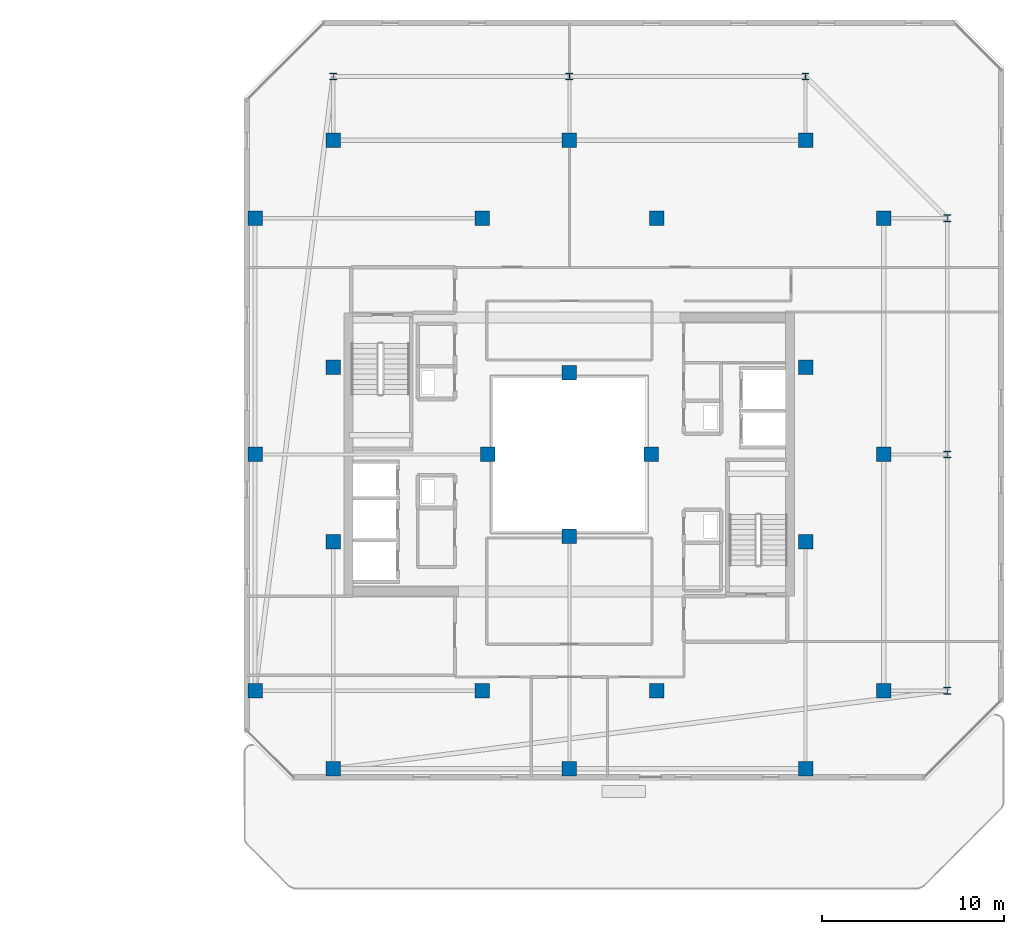
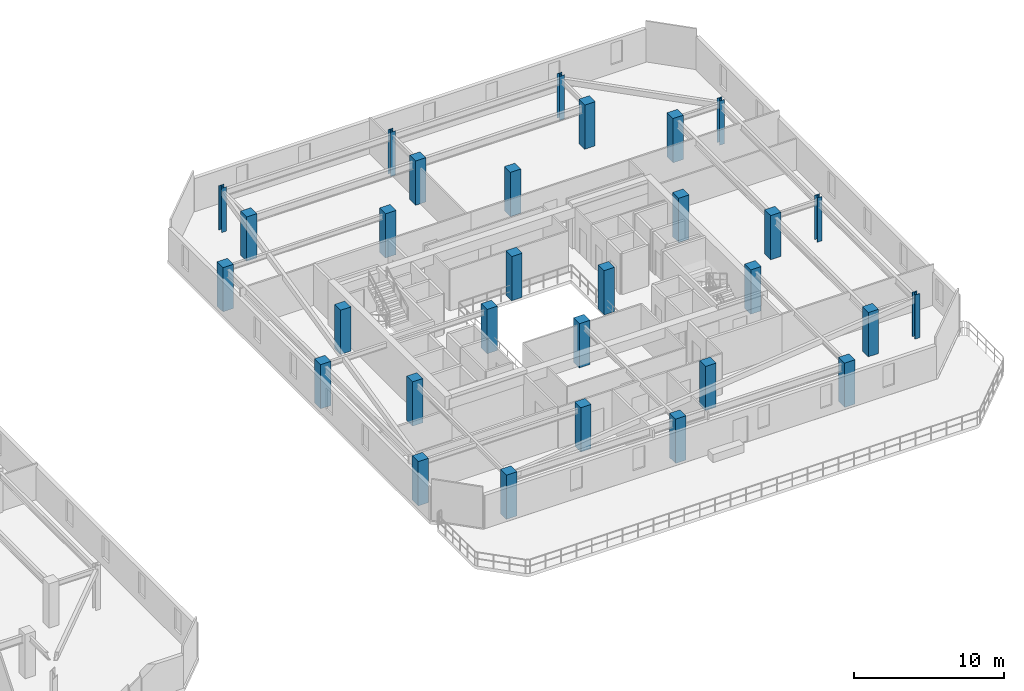
# One storey, part 2 of 31: 30 columns.
"""IFC4 building model written with IfcOpenShell, lengths in metres."""

from ifc_helpers import new_model, si_unit, direction, frame, origin, origin_2d, place, context, subcontext, project, spatial, rectangle, i_section, extrude, material, material_profile, profile_set, type_object, element, save


model = new_model("IFC4")

# Units and contexts
model_context = context("Model", 3, precision=1e-05, world=origin(), true_north=direction((0.0, 1.0)))
body_context = subcontext(model_context, "Body", "Model", "MODEL_VIEW")
ifc_project = project(units=[si_unit("LENGTHUNIT", "METRE"), si_unit("AREAUNIT", "SQUARE_METRE"), si_unit("VOLUMEUNIT", "CUBIC_METRE"), si_unit("PLANEANGLEUNIT", "RADIAN"), si_unit("MASSUNIT", "GRAM", prefix="KILO")], contexts=[model_context])

# Site, building, storey
site_placement = place(None, origin())
site = spatial("IfcSite", under=ifc_project, at=site_placement, CompositionType="ELEMENT")
building_placement = place(site_placement, origin())
building = spatial("IfcBuilding", under=site, at=building_placement, Name="Thornwick Lancets Civic Towers", CompositionType="ELEMENT")
storey_placement = place(building_placement, frame((0.0, 0.0, 254.699951171875)))
storey = spatial("IfcBuildingStorey", under=building, at=storey_placement, Name="L68", CompositionType="ELEMENT", Elevation=254.699951171875)

# Columns
ifc_material_1 = material(Name="Concrete C50/60", Category="concrete")
ifc_material_profile_1 = material_profile(ifc_material_1, rectangle(XDim=0.800048828125, YDim=0.800048828125, at=origin_2d()), Name="RC 800x800")
ifc_profile_set_1 = profile_set([ifc_material_profile_1], Name="Concrete C50/60")
column_type_1 = type_object("IfcColumnType", Name="COL_RC_800", PredefinedType="COLUMN", material=ifc_profile_set_1)
for number, where, z_axis, x_axis, name in (
    (1, (105.800048828125, 14.0, 0.0), (0.0, 0.0, 1.0), (1.0, 0.0, 0.0), "L68 Spine Mega-Column B01"),
    (2, (105.800048828125, 27.0, 0.0), (0.0, 0.0, 1.0), (1.0, 0.0, 0.0), "L68 Spine Mega-Column B02"),
    (3, (105.800048828125, 40.0, 0.0), (0.0, 0.0, 1.0), (1.0, 0.0, 0.0), "L68 Spine Mega-Column B03"),
    (4, (101.5, 44.300048828125, 0.0), (0.0, 0.0, 1.0), (1.0, 0.0, 0.0), "L68 Spine Mega-Column B04"),
    (5, (88.5, 44.300048828125, 0.0), (0.0, 0.0, 1.0), (1.0, 0.0, 0.0), "L68 Spine Mega-Column B05"),
    (6, (75.5, 44.300048828125, 0.0), (0.0, 0.0, 1.0), (1.0, 0.0, 0.0), "L68 Spine Mega-Column B06"),
    (7, (71.199951171875, 14.0, 0.0), (0.0, 0.0, 1.0), (1.0, 0.0, 0.0), "L68 Spine Mega-Column B07"),
    (8, (71.199951171875, 27.0, 0.0), (0.0, 0.0, 1.0), (1.0, 0.0, 0.0), "L68 Spine Mega-Column B08"),
    (9, (71.199951171875, 40.0, 0.0), (0.0, 0.0, 1.0), (1.0, 0.0, 0.0), "L68 Spine Mega-Column B09"),
    (10, (101.5, 9.699951171875, 0.0), (0.0, 0.0, 1.0), (1.0, 0.0, 0.0), "L68 Spine Mega-Column B10"),
    (11, (88.5, 9.699951171875, 0.0), (0.0, 0.0, 1.0), (1.0, 0.0, 0.0), "L68 Spine Mega-Column B11"),
    (12, (75.5, 9.699951171875, 0.0), (0.0, 0.0, 1.0), (1.0, 0.0, 0.0), "L68 Spine Mega-Column B12"),
    (13, (93.300048828125, 14.0, 0.0), (0.0, 0.0, 1.0), (1.0, 0.0, 0.0), "L68 Spine Mega-Column B13"),
    (14, (93.300048828125, 40.0, 0.0), (0.0, 0.0, 1.0), (1.0, 0.0, 0.0), "L68 Spine Mega-Column B14"),
    (15, (83.699951171875, 14.0, 0.0), (0.0, 0.0, 1.0), (1.0, 0.0, 0.0), "L68 Spine Mega-Column B15"),
    (16, (83.699951171875, 40.0, 0.0), (0.0, 0.0, 1.0), (1.0, 0.0, 0.0), "L68 Spine Mega-Column B16"),
    (17, (101.5, 22.199951171875, 0.0), (0.0, 0.0, 1.0), (1.0, 0.0, 0.0), "L68 Spine Mega-Column B17"),
    (18, (101.5, 31.800048828125, 0.0), (0.0, 0.0, 1.0), (1.0, 0.0, 0.0), "L68 Spine Mega-Column B18"),
    (19, (75.5, 22.199951171875, 0.0), (0.0, 0.0, 1.0), (1.0, 0.0, 0.0), "L68 Spine Mega-Column B19"),
    (20, (75.5, 31.800048828125, 0.0), (0.0, 0.0, 1.0), (1.0, 0.0, 0.0), "L68 Spine Mega-Column B20"),
    (21, (93.0, 27.0, 0.0), (0.0, 0.0, 1.0), (1.0, 0.0, 0.0), "L68 Spine Mega-Column B21"),
    (22, (84.0, 27.0, 0.0), (0.0, 0.0, 1.0), (1.0, 0.0, 0.0), "L68 Spine Mega-Column B22"),
    (23, (88.5, 22.5, 0.0), (0.0, 0.0, 1.0), (1.0, 0.0, 0.0), "L68 Spine Mega-Column B23"),
    (24, (88.5, 31.5, 0.0), (0.0, 0.0, 1.0), (1.0, 0.0, 0.0), "L68 Spine Mega-Column B24"),
):
    element("IfcColumn", number, at=place(storey_placement, frame(where, z_axis=z_axis, x_axis=x_axis)), inside=storey, type_object=column_type_1, Name=name, PredefinedType="COLUMN", context=body_context, shape_type="SweptSolid", body=[
        extrude(rectangle(XDim=0.800048828125, YDim=0.800048828125, at=origin_2d()), origin(), (0.0, 0.0, 1.0), 3.60009765625),
    ])
ifc_material_2 = material(Name="Steel S355JR", Category="steel")
ifc_material_profile_2 = material_profile(ifc_material_2, i_section(OverallWidth=0.374755859375, OverallDepth=0.37451171875, WebThickness=0.0166015625, FlangeThickness=0.027099609375, FilletRadius=0.01513671875, at=origin_2d()), Name="UKC 356x368x202")
ifc_profile_set_2 = profile_set([ifc_material_profile_2], Name="Steel S355JR")
column_type_2 = type_object("IfcColumnType", Name="COL_UKC_202", PredefinedType="COLUMN", material=ifc_profile_set_2)
for number, where, z_axis, x_axis, name in (
    (25, (109.300048828125, 14.0, 0.0), (0.0, 0.0, 1.0), (1.0, 0.0, 0.0), "L68 Block Perimeter Column B01"),
    (26, (109.300048828125, 27.0, 0.0), (0.0, 0.0, 1.0), (1.0, 0.0, 0.0), "L68 Block Perimeter Column B02"),
    (27, (109.300048828125, 40.0, 0.0), (0.0, 0.0, 1.0), (1.0, 0.0, 0.0), "L68 Block Perimeter Column B03"),
    (28, (101.5, 47.800048828125, 0.0), (0.0, 0.0, 1.0), (1.0, 0.0, 0.0), "L68 Block Perimeter Column B04"),
    (29, (88.5, 47.800048828125, 0.0), (0.0, 0.0, 1.0), (1.0, 0.0, 0.0), "L68 Block Perimeter Column B05"),
    (30, (75.5, 47.800048828125, 0.0), (0.0, 0.0, 1.0), (1.0, 0.0, 0.0), "L68 Block Perimeter Column B06"),
):
    element("IfcColumn", number, at=place(storey_placement, frame(where, z_axis=z_axis, x_axis=x_axis)), inside=storey, type_object=column_type_2, Name=name, PredefinedType="COLUMN", context=body_context, shape_type="SweptSolid", body=[
        extrude(i_section(OverallWidth=0.374755859375, OverallDepth=0.37451171875, WebThickness=0.0166015625, FlangeThickness=0.027099609375, FilletRadius=0.01513671875, at=origin_2d()), origin(), (0.0, 0.0, 1.0), 3.60009765625),
    ])

save(model, "model.ifc")
